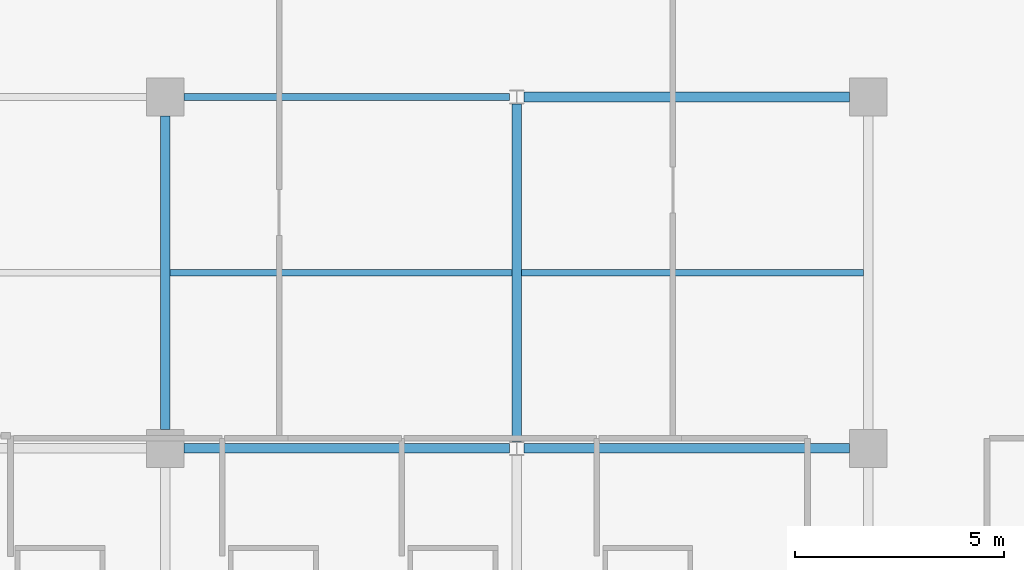
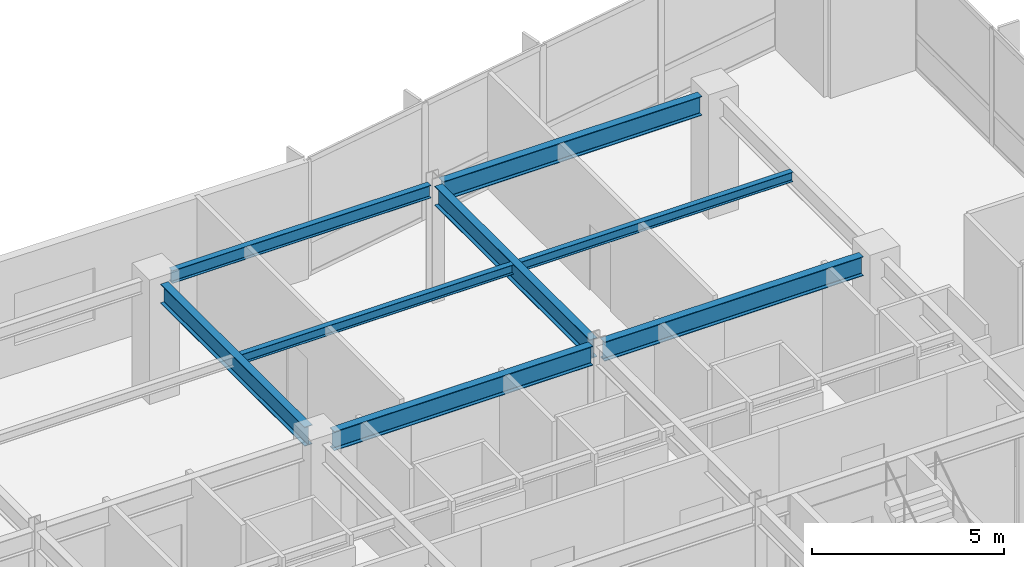
# One storey, part 6 of 21: 8 beams.
"""IFC4 building model written with IfcOpenShell, lengths in metres."""

from ifc_helpers import new_model, si_unit, direction, frame, origin, origin_2d, place, context, subcontext, project, spatial, i_section, extrude, material, material_profile, profile_set, type_object, element, save


model = new_model("IFC4")

# Units and contexts
model_context = context("Model", 3, precision=1e-05, world=origin(), true_north=direction((0.0, 1.0)))
body_context = subcontext(model_context, "Body", "Model", "MODEL_VIEW")
ifc_project = project(units=[si_unit("LENGTHUNIT", "METRE"), si_unit("AREAUNIT", "SQUARE_METRE"), si_unit("VOLUMEUNIT", "CUBIC_METRE"), si_unit("PLANEANGLEUNIT", "RADIAN"), si_unit("MASSUNIT", "GRAM", prefix="KILO")], contexts=[model_context])

# Site, building, storey
site_placement = place(None, origin())
site = spatial("IfcSite", under=ifc_project, at=site_placement, CompositionType="ELEMENT")
building_placement = place(site_placement, origin())
building = spatial("IfcBuilding", under=site, at=building_placement, Name="Varnakote Quay Hospital", CompositionType="ELEMENT")
storey_placement = place(building_placement, frame((0.0, 0.0, 42.25)))
storey = spatial("IfcBuildingStorey", under=building, at=storey_placement, Name="L10", CompositionType="ELEMENT", Elevation=42.25)

# Beams
ifc_material_1 = material(Name="Structural steel AS/NZS 3679.1 Grade 350 L0 (fy 340 MPa)", Category="steel")
ifc_material_profile_1 = material_profile(ifc_material_1, i_section(OverallWidth=0.22900390625, OverallDepth=0.612060546875, WebThickness=0.011962890625, FlangeThickness=0.01953125, FilletRadius=0.013916015625, at=origin_2d()), Name="610UB125")
ifc_profile_set_1 = profile_set([ifc_material_profile_1], Name="Structural steel AS/NZS 3679.1 Grade 350 L0 (fy 340 MPa)")
beam_type_1 = type_object("IfcBeamType", Name="BM-STL-610UB125", PredefinedType="BEAM", material=ifc_profile_set_1)
for number, where, z_axis, x_axis, name in (
    (1, (34.050048828125, 20.39990234375, 3.404052734375), (1.0, 0.0, 0.0), (0.0, 1.0, 0.0), "L10 Primary Floor Beam"),
    (2, (42.175048828125, 20.39990234375, 3.404052734375), (1.0, 0.0, 0.0), (0.0, 1.0, 0.0), "L10 Primary Floor Beam"),
    (3, (42.175048828125, 28.800048828125, 3.404052734375), (1.0, 0.0, 0.0), (0.0, 1.0, 0.0), "L10 Primary Floor Beam"),
):
    element("IfcBeam", number, at=place(storey_placement, frame(where, z_axis=z_axis, x_axis=x_axis)), inside=storey, type_object=beam_type_1, Name=name, PredefinedType="BEAM", context=body_context, shape_type="SweptSolid", body=[
        extrude(i_section(OverallWidth=0.22900390625, OverallDepth=0.612060546875, WebThickness=0.011962890625, FlangeThickness=0.01953125, FilletRadius=0.013916015625, at=origin_2d()), origin(), (0.0, 0.0, 1.0), 7.77490234375),
    ])
beam_1_placement = place(storey_placement, frame((33.60009765625, 20.85009765625, 3.404052734375), z_axis=(0.0, 1.0, 0.0), x_axis=(-1.0, 0.0, 0.0)))
element("IfcBeam", 4, at=beam_1_placement, inside=storey, type_object=beam_type_1, Name="L10 Primary Tie Beam", PredefinedType="BEAM", context=body_context, shape_type="SweptSolid", body=[
    extrude(i_section(OverallWidth=0.22900390625, OverallDepth=0.612060546875, WebThickness=0.011962890625, FlangeThickness=0.01953125, FilletRadius=0.013916015625, at=origin_2d()), origin(), (0.0, 0.0, 1.0), 7.5),
])
beam_2_placement = place(storey_placement, frame((42.0, 20.570068359375, 3.404052734375), z_axis=(0.0, 1.0, 0.0), x_axis=(-1.0, 0.0, 0.0)))
element("IfcBeam", 5, at=beam_2_placement, inside=storey, type_object=beam_type_1, Name="L10 Primary Tie Beam", PredefinedType="BEAM", context=body_context, shape_type="SweptSolid", body=[
    extrude(i_section(OverallWidth=0.22900390625, OverallDepth=0.612060546875, WebThickness=0.011962890625, FlangeThickness=0.01953125, FilletRadius=0.013916015625, at=origin_2d()), origin(), (0.0, 0.0, 1.0), 8.059814453125),
])
ifc_material_2 = material(Name="Structural steel AS/NZS 3679.1 Grade 350 L0 (fy 340 MPa)", Category="steel")
ifc_material_profile_2 = material_profile(ifc_material_2, i_section(OverallWidth=0.1650390625, OverallDepth=0.303955078125, WebThickness=0.006103515625, FlangeThickness=0.01025390625, FilletRadius=0.011474609375, at=origin_2d()), Name="310UB40.4")
ifc_profile_set_2 = profile_set([ifc_material_profile_2], Name="Structural steel AS/NZS 3679.1 Grade 350 L0 (fy 340 MPa)")
beam_type_2 = type_object("IfcBeamType", Name="JST-STL-310UB40-4", PredefinedType="JOIST", material=ifc_profile_set_2)
for number, where, z_axis, x_axis, name in (
    (6, (33.714599609375, 24.60009765625, 3.55810546875), (1.0, 0.0, 0.0), (0.0, 1.0, 0.0), "L10 Composite Floor Joist"),
    (7, (42.114501953125, 24.60009765625, 3.55810546875), (1.0, 0.0, 0.0), (0.0, 1.0, 0.0), "L10 Composite Floor Joist"),
):
    element("IfcBeam", number, at=place(storey_placement, frame(where, z_axis=z_axis, x_axis=x_axis)), inside=storey, type_object=beam_type_2, Name=name, PredefinedType="JOIST", context=body_context, shape_type="SweptSolid", body=[
        extrude(i_section(OverallWidth=0.1650390625, OverallDepth=0.303955078125, WebThickness=0.006103515625, FlangeThickness=0.01025390625, FilletRadius=0.011474609375, at=origin_2d()), origin(), (0.0, 0.0, 1.0), 8.1708984375),
    ])
ifc_material_3 = material(Name="Structural steel AS/NZS 3679.1 Grade 350 L0 (fy 340 MPa)", Category="steel")
ifc_material_profile_3 = material_profile(ifc_material_3, i_section(OverallWidth=0.177978515625, OverallDepth=0.406005859375, WebThickness=0.0078125, FlangeThickness=0.0126953125, FilletRadius=0.011474609375, at=origin_2d()), Name="410UB59.7")
ifc_profile_set_3 = profile_set([ifc_material_profile_3], Name="Structural steel AS/NZS 3679.1 Grade 350 L0 (fy 340 MPa)")
beam_type_3 = type_object("IfcBeamType", Name="SPN-STL-410UB59-7", PredefinedType="SPANDREL", material=ifc_profile_set_3)
beam_3_placement = place(storey_placement, frame((34.050048828125, 28.800048828125, 3.507080078125), z_axis=(1.0, 0.0, 0.0), x_axis=(0.0, 1.0, 0.0)))
element("IfcBeam", 8, at=beam_3_placement, inside=storey, type_object=beam_type_3, Name="L10 Perimeter Spandrel Beam", PredefinedType="SPANDREL", context=body_context, shape_type="SweptSolid", body=[
    extrude(i_section(OverallWidth=0.177978515625, OverallDepth=0.406005859375, WebThickness=0.0078125, FlangeThickness=0.0126953125, FilletRadius=0.011474609375, at=origin_2d()), origin(), (0.0, 0.0, 1.0), 7.77490234375),
])

save(model, "model.ifc")
